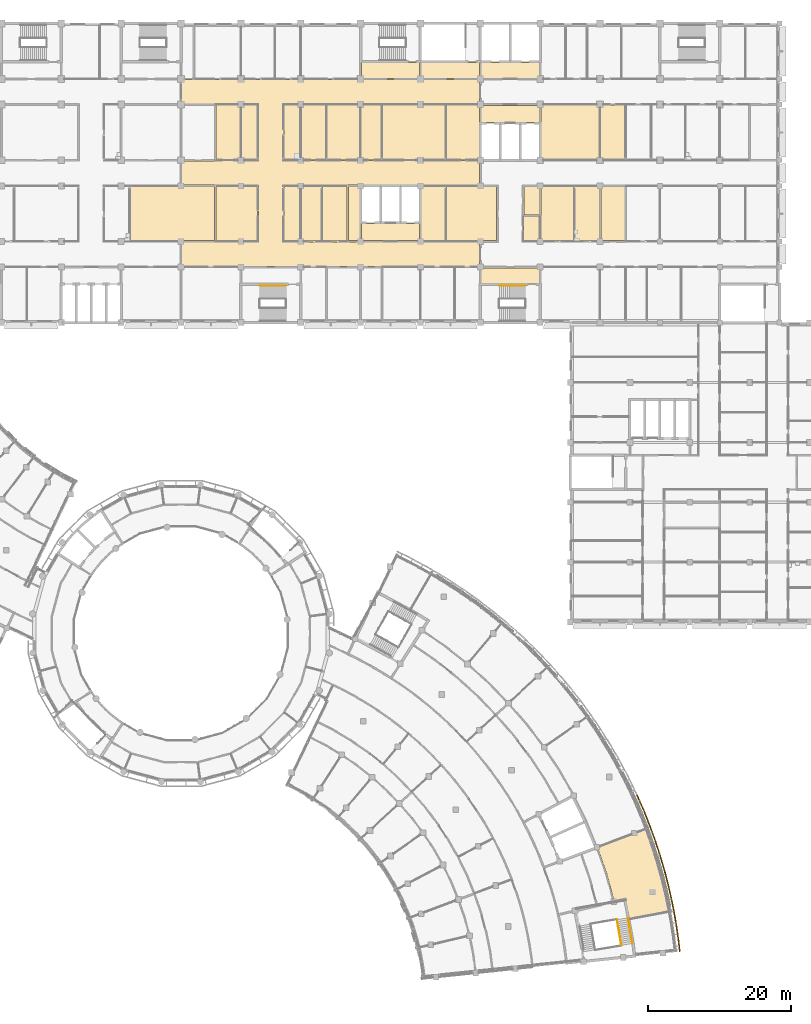
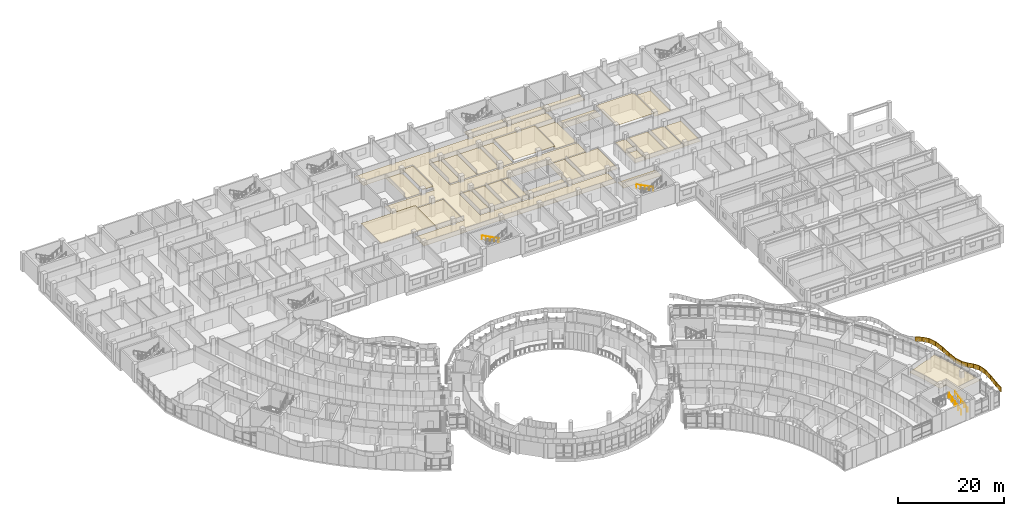
# One storey, part 104 of 109: 45 coverings, 4 railings.
"""IFC4 building model written with IfcOpenShell, lengths in metres."""

from ifc_helpers import new_model, si_unit, direction, frame, origin, origin_2d, place, context, subcontext, project, spatial, polyline, circle, outline, extrude, material, layer, layer_set, type_object, element, save


model = new_model("IFC4")

# Units and contexts
model_context = context("Model", 3, precision=1e-05, world=origin(), true_north=direction((0.0, 1.0)))
body_context = subcontext(model_context, "Body", "Model", "MODEL_VIEW")
ifc_project = project(units=[si_unit("LENGTHUNIT", "METRE"), si_unit("AREAUNIT", "SQUARE_METRE"), si_unit("VOLUMEUNIT", "CUBIC_METRE"), si_unit("PLANEANGLEUNIT", "RADIAN"), si_unit("MASSUNIT", "GRAM", prefix="KILO")], contexts=[model_context])

# Site, building, storey
site_placement = place(None, origin())
site = spatial("IfcSite", under=ifc_project, at=site_placement, CompositionType="ELEMENT")
building_placement = place(site_placement, origin())
building = spatial("IfcBuilding", under=site, at=building_placement, Name="Bougainvillea Quay General Hospital", CompositionType="ELEMENT")
storey_placement = place(building_placement, frame((0.0, 0.0, 12.60009765625)))
storey = spatial("IfcBuildingStorey", under=building, at=storey_placement, Name="L02", CompositionType="ELEMENT", Elevation=12.60009765625)

# Coverings
ifc_material_1 = material(Name="Powder-coated aluminium fascia, blue", Category="aluminium")
ifc_layer_1 = layer(ifc_material_1, 0.14990234375)
ifc_layer_set_1 = layer_set([ifc_layer_1], Name="Powder-coated aluminium fascia, blue")
covering_type_1 = type_object("IfcCoveringType", Name="Aluminium wave fascia ribbon blue 150x1000", PredefinedType="CLADDING", material=ifc_layer_set_1)
covering_1_placement = place(storey_placement, frame((179.114990234375, 29.351806640625, 2.959228515625), z_axis=(0.029135905684, -0.249876556171, 0.967839245782), x_axis=(-0.112359164721, 0.961295078717, 0.25156945311)))
element("IfcCovering", 1, at=covering_1_placement, inside=storey, type_object=covering_type_1, Name="Fascia ribbon blue a23 1", PredefinedType="CLADDING", context=body_context, shape_type="SweptSolid", body=[
    extrude(outline(polyline([(0.0, 0.0), (1.6817948894033983, 2.6315619605296603e-17), (1.6837251529886146, -0.1501578947317302), (-7.010251242881016e-05, -0.14993115207021507), (0.0, 0.0)])), origin(), (0.25156945311, -6.7718387e-05, 0.967839245782), 1.0),
])
covering_2_placement = place(storey_placement, frame((178.926025390625, 30.968505859375, 3.3828125), z_axis=(0.048699548796, -0.34457762142, 0.937493795587), x_axis=(-0.130342046885, 0.928388742432, 0.348001858816)))
element("IfcCovering", 2, at=covering_2_placement, inside=storey, type_object=covering_type_1, Name="Fascia ribbon blue a23 2", PredefinedType="CLADDING", context=body_context, shape_type="SweptSolid", body=[
    extrude(outline(polyline([(0.0, 0.0), (1.7401437211794646, 2.3201926491189795e-17), (1.7420769570936643, -0.14991087741207806), (-0.0016752787269053496, -0.15016088233025954), (0.0, 0.0)])), origin(), (0.348001858816, 0.000299160377, 0.937493795587), 1.0),
])
covering_3_placement = place(storey_placement, frame((178.69921875, 32.583984375, 3.989013671875), z_axis=(0.042168013185, -0.256822271256, 0.965538284923), x_axis=(-0.156483701276, 0.952773336649, 0.260261061641)))
element("IfcCovering", 3, at=covering_3_placement, inside=storey, type_object=covering_type_1, Name="Fascia ribbon blue a23 3", PredefinedType="CLADDING", context=body_context, shape_type="SweptSolid", body=[
    extrude(outline(polyline([(0.0, 0.0), (1.689645850185075, -1.1079190950086248e-16), (1.691316225315986, -0.14994650140858112), (-0.0016841329319670251, -0.14991394723947685), (0.0, 0.0)])), origin(), (0.260261061641, -1.1940954e-05, 0.965538284923), 1.0),
])
covering_4_placement = place(storey_placement, frame((178.434814453125, 34.19384765625, 4.428955078125), z_axis=(0.002429558049, -0.012929101862, 0.999913464042), x_axis=(-0.184832802362, 0.982681927558, 0.013155395176)))
element("IfcCovering", 4, at=covering_4_placement, inside=storey, type_object=covering_type_1, Name="Fascia ribbon blue a23 4", PredefinedType="CLADDING", context=body_context, shape_type="SweptSolid", body=[
    extrude(outline(polyline([(0.0, 0.0), (1.6312782524505063, 2.860769076056674e-17), (1.6330971815056787, -0.15014042691591833), (-0.0018700100361583247, -0.1499433571925871), (0.0, 0.0)])), origin(), (0.013155395176, -2.239343e-06, 0.999913464042), 1.0),
])
covering_5_placement = place(storey_placement, frame((178.13330078125, 35.796875, 4.4501953125), z_axis=(-0.050686541175, 0.23798915036, 0.969944348329), x_axis=(-0.201347514794, 0.948815707764, -0.243326798743)))
element("IfcCovering", 5, at=covering_5_placement, inside=storey, type_object=covering_type_1, Name="Fascia ribbon blue a23 5", PredefinedType="CLADDING", context=body_context, shape_type="SweptSolid", body=[
    extrude(outline(polyline([(0.0, 0.0), (1.681773482338444, -1.4894227344519617e-17), (1.6837191885844889, -0.14989646984294047), (-0.001731568451915492, -0.15014224988347843), (0.0, 0.0)])), origin(), (-0.243326798743, -0.000173662466, 0.969944348329), 1.0),
])
covering_6_placement = place(storey_placement, frame((177.794677734375, 37.392578125, 4.04052734375), z_axis=(-0.080802065726, 0.338168410837, 0.937610341286), x_axis=(-0.215930389463, 0.912407646848, -0.347687147994)))
element("IfcCovering", 6, at=covering_6_placement, inside=storey, type_object=covering_type_1, Name="Fascia ribbon blue a23 6", PredefinedType="CLADDING", context=body_context, shape_type="SweptSolid", body=[
    extrude(outline(polyline([(0.0, 0.0), (1.7400567747957214, 4.765068548073792e-17), (1.7417221223348651, -0.1501555085977009), (-0.0017603350604453855, -0.14989976054194776), (0.0, 0.0)])), origin(), (-0.347687147994, -0.000703585993, 0.937610341286), 1.0),
])
covering_7_placement = place(storey_placement, frame((177.4189453125, 38.980224609375, 3.43505859375), z_axis=(-0.067475293505, 0.259018062166, 0.963512702687), x_axis=(-0.243581547082, 0.932214993693, -0.267662540256)))
element("IfcCovering", 7, at=covering_7_placement, inside=storey, type_object=covering_type_1, Name="Fascia ribbon blue a23 7", PredefinedType="CLADDING", context=body_context, shape_type="SweptSolid", body=[
    extrude(outline(polyline([(0.0, 0.0), (1.692878082754893, -5.919743861770854e-17), (1.6946139950203492, -0.15007132647137303), (-0.0019496312553067678, -0.15015208726169865), (0.0, 0.0)])), origin(), (-0.267662540256, 0.000190539995, 0.963512702687), 1.0),
])
covering_8_placement = place(storey_placement, frame((177.006591796875, 40.558349609375, 2.981689453125), z_axis=(-0.007711221598, 0.023986006372, 0.999682553894), x_axis=(-0.274989639638, 0.961117355825, -0.025181866955)))
element("IfcCovering", 8, at=covering_8_placement, inside=storey, type_object=covering_type_1, Name="Fascia ribbon blue a23 8", PredefinedType="CLADDING", context=body_context, shape_type="SweptSolid", body=[
    extrude(outline(polyline([(0.0, 0.0), (1.6318064953916425, 3.61039323437673e-17), (1.6336284549907523, -0.14983636546657272), (-0.0018049381173692773, -0.15006989706257526), (0.0, 0.0)])), origin(), (-0.025181866955, -0.000815485664, 0.999682553894), 1.0),
])
covering_9_placement = place(storey_placement, frame((176.557861328125, 42.126708984375, 2.94091796875), z_axis=(0.070087761229, -0.224434033224, 0.971965570613), x_axis=(-0.289059720126, 0.927987918096, 0.235123163614)))
element("IfcCovering", 9, at=covering_9_placement, inside=storey, type_object=covering_type_1, Name="Fascia ribbon blue a23 9", PredefinedType="CLADDING", context=body_context, shape_type="SweptSolid", body=[
    extrude(outline(polyline([(0.0, 0.0), (1.6782118227117404, -4.7921736023859296e-17), (1.680159350595535, -0.14992228563691484), (-0.001736203168038441, -0.14983818795251114), (0.0, 0.0)])), origin(), (0.235123163614, 0.000165756796, 0.971965570613), 1.0),
])
covering_10_placement = place(storey_placement, frame((176.07275390625, 43.68408203125, 3.336181640625), z_axis=(0.111709772779, -0.328479118699, 0.937881866359), x_axis=(-0.299656399392, 0.888723329845, 0.346953722121)))
element("IfcCovering", 10, at=covering_10_placement, inside=storey, type_object=covering_type_1, Name="Fascia ribbon blue a23 10", PredefinedType="CLADDING", context=body_context, shape_type="SweptSolid", body=[
    extrude(outline(polyline([(0.0, 0.0), (1.7394609712793179, 7.177418381854039e-17), (1.7412441821571276, -0.15001436222954037), (-0.0017536049171491767, -0.14992568394076328), (0.0, 0.0)])), origin(), (0.346953722121, 0.000848211256, 0.937881866359), 1.0),
])
covering_11_placement = place(storey_placement, frame((175.551513671875, 45.22998046875, 3.940185546875), z_axis=(0.093834056673, -0.258043655852, 0.961565723954), x_axis=(-0.328273292003, 0.903794941802, 0.274574851236)))
element("IfcCovering", 11, at=covering_11_placement, inside=storey, type_object=covering_type_1, Name="Fascia ribbon blue a23 11", PredefinedType="CLADDING", context=body_context, shape_type="SweptSolid", body=[
    extrude(outline(polyline([(0.0, 0.0), (1.6964141674149098, -1.275157280114514e-16), (1.6983466647712833, -0.1500333690972985), (-0.001825509247674923, -0.15001385075053494), (0.0, 0.0)])), origin(), (0.274574851236, 9.7905403e-05, 0.961565723954), 1.0),
])
covering_12_placement = place(storey_placement, frame((174.99462890625, 46.76318359375, 4.40625), z_axis=(0.013473999763, -0.034513936753, 0.999313384029), x_axis=(-0.362817989412, 0.931123164044, 0.037050775151)))
element("IfcCovering", 12, at=covering_12_placement, inside=storey, type_object=covering_type_1, Name="Fascia ribbon blue a23 12", PredefinedType="CLADDING", context=body_context, shape_type="SweptSolid", body=[
    extrude(outline(polyline([(0.0, 0.0), (1.6324604135474499, -9.287885673232854e-17), (1.6342553534315367, -0.15005135460449706), (-0.0016031780552774808, -0.15003644440103334), (0.0, 0.0)])), origin(), (0.037050775151, 2.3676152e-05, 0.999313384029), 1.0),
])
covering_13_placement = place(storey_placement, frame((174.40234375, 48.283203125, 4.466552734375), z_axis=(-0.087156374801, 0.209138446932, 0.973994289689), x_axis=(-0.374613187673, 0.899071652405, -0.226572556729)))
element("IfcCovering", 13, at=covering_13_placement, inside=storey, type_object=covering_type_1, Name="Fascia ribbon blue a23 13", PredefinedType="CLADDING", context=body_context, shape_type="SweptSolid", body=[
    extrude(outline(polyline([(0.0, 0.0), (1.674883690798885, 4.825377293918298e-17), (1.676658863067682, -0.1501464831059357), (-0.0017568803792866604, -0.15005258543382138), (0.0, 0.0)])), origin(), (-0.226572556729, -1.380564e-05, 0.973994289689), 1.0),
])
covering_14_placement = place(storey_placement, frame((173.77490234375, 49.7890625, 4.086669921875), z_axis=(-0.139695558392, 0.316545174963, 0.938234673828), x_axis=(-0.380844822084, 0.857462604964, -0.345998703149)))
element("IfcCovering", 14, at=covering_14_placement, inside=storey, type_object=covering_type_1, Name="Fascia ribbon blue a23 14", PredefinedType="CLADDING", context=body_context, shape_type="SweptSolid", body=[
    extrude(outline(polyline([(0.0, 0.0), (1.738539704091523, -9.107298248878237e-18), (1.740408885594288, -0.1500953383114039), (-0.0018324972845334823, -0.15014581827840112), (0.0, 0.0)])), origin(), (-0.345998703149, 0.00077087344, 0.938234673828), 1.0),
])

# Railings
ifc_material_2 = material(Name="Stainless steel 304 balustrade", Category="steel")
railing_type_1 = type_object("IfcRailingType", Name="Stair guard 1100", PredefinedType="GUARDRAIL", material=ifc_material_2)
railing_1_placement = place(storey_placement, frame((170.99755859375, 30.240966796875, 0.14990234375)))
element("IfcRailing", 15, at=railing_1_placement, inside=storey, type_object=railing_type_1, Name="L02 ST-E2 stair guard 1", PredefinedType="GUARDRAIL", context=body_context, shape_type="SweptSolid", body=[
    extrude(circle(Radius=0.02392578125, at=origin_2d()), frame((0.0, 0.0, 1.076171875), z_axis=(-0.147866971265, 0.868991900698, 0.472216513191), x_axis=(-0.985829902908, -0.167748032873, 0.0)), (0.0, 0.0, 1.0), 4.12939453125),
    extrude(circle(Radius=0.02099609375, at=origin_2d()), origin(), (0.0, 0.0, 1.0), 1.052001953125),
    extrude(circle(Radius=0.02099609375, at=origin_2d()), frame((-0.152587890625, 0.89697265625, 0.487548828125)), (0.0, 0.0, 1.0), 1.052001953125),
    extrude(circle(Radius=0.02099609375, at=origin_2d()), frame((-0.30517578125, 1.794189453125, 0.97509765625)), (0.0, 0.0, 1.0), 1.052001953125),
    extrude(circle(Radius=0.02099609375, at=origin_2d()), frame((-0.4580078125, 2.69140625, 1.46240234375)), (0.0, 0.0, 1.0), 1.052001953125),
    extrude(circle(Radius=0.02099609375, at=origin_2d()), frame((-0.610595703125, 3.58837890625, 1.949951171875)), (0.0, 0.0, 1.0), 1.052001953125),
])
ifc_material_3 = material(Name="Stainless steel 304 handrail", Category="steel")
railing_type_2 = type_object("IfcRailingType", Name="Stair handrail 900", PredefinedType="HANDRAIL", material=ifc_material_3)
for number, where, name in (
    (16, (123.89990234375, 122.77490234375, 0.14990234375), "L02 ST-B3 stair handrail 1"),
    (17, (157.5, 122.77490234375, 0.14990234375), "L02 ST-B4 stair handrail 1"),
):
    element("IfcRailing", number, at=place(storey_placement, frame(where)), inside=storey, type_object=railing_type_2, Name=name, PredefinedType="HANDRAIL", context=body_context, shape_type="SweptSolid", body=[
        extrude(circle(Radius=0.02392578125, at=origin_2d()), frame((0.0, 0.0, 0.8759765625), z_axis=(-0.881479091078, 0.0, 0.472223053219), x_axis=(0.0, -1.0, 0.0)), (0.0, 0.0, 1.0), 4.12939453125),
        extrude(circle(Radius=0.02099609375, at=origin_2d()), origin(), (0.0, 0.0, 1.0), 0.851806640625),
        extrude(circle(Radius=0.02099609375, at=origin_2d()), frame((-0.909912109375, 0.0, 0.487548828125)), (0.0, 0.0, 1.0), 0.851806640625),
        extrude(circle(Radius=0.02099609375, at=origin_2d()), frame((-1.81982421875, 0.0, 0.97509765625)), (0.0, 0.0, 1.0), 0.851806640625),
        extrude(circle(Radius=0.02099609375, at=origin_2d()), frame((-2.72998046875, 0.0, 1.46240234375)), (0.0, 0.0, 1.0), 0.851806640625),
        extrude(circle(Radius=0.02099609375, at=origin_2d()), frame((-3.639892578125, 0.0, 1.949951171875)), (0.0, 0.0, 1.0), 0.851806640625),
    ])
railing_2_placement = place(storey_placement, frame((172.525634765625, 30.5009765625, 0.14990234375)))
element("IfcRailing", 18, at=railing_2_placement, inside=storey, type_object=railing_type_2, Name="L02 ST-E2 stair handrail 1", PredefinedType="HANDRAIL", context=body_context, shape_type="SweptSolid", body=[
    extrude(circle(Radius=0.02392578125, at=origin_2d()), frame((0.0, 0.0, 0.8759765625), z_axis=(-0.147866971265, 0.868991900698, 0.472216513191), x_axis=(-0.985829902908, -0.167748032873, 0.0)), (0.0, 0.0, 1.0), 4.12939453125),
    extrude(circle(Radius=0.02099609375, at=origin_2d()), origin(), (0.0, 0.0, 1.0), 0.851806640625),
    extrude(circle(Radius=0.02099609375, at=origin_2d()), frame((-0.152587890625, 0.89697265625, 0.487548828125)), (0.0, 0.0, 1.0), 0.851806640625),
    extrude(circle(Radius=0.02099609375, at=origin_2d()), frame((-0.30517578125, 1.794189453125, 0.97509765625)), (0.0, 0.0, 1.0), 0.851806640625),
    extrude(circle(Radius=0.02099609375, at=origin_2d()), frame((-0.4580078125, 2.69140625, 1.46240234375)), (0.0, 0.0, 1.0), 0.851806640625),
    extrude(circle(Radius=0.02099609375, at=origin_2d()), frame((-0.610595703125, 3.58837890625, 1.949951171875)), (0.0, 0.0, 1.0), 0.851806640625),
])

# Coverings
ifc_material_4 = material(Name="Mineral fibre ceiling tile")
ifc_layer_2 = layer(ifc_material_4, 0.030029296875)
ifc_layer_set_2 = layer_set([ifc_layer_2], Name="Mineral fibre ceiling tile")
covering_type_2 = type_object("IfcCoveringType", Name="Suspended ceiling mineral fibre tile", PredefinedType="CEILING", material=ifc_layer_set_2)
covering_15_placement = place(storey_placement, frame((0.0, 0.0, 2.699951171875)))
element("IfcCovering", 19, at=covering_15_placement, inside=storey, type_object=covering_type_2, Name="Ceiling Corridor V4-4", PredefinedType="CEILING", context=body_context, shape_type="SweptSolid", body=[
    extrude(outline(polyline([(111.097900390625, 151.75), (111.097900390625, 151.699951171875), (109.300048828125, 151.699951171875), (109.300048828125, 148.300048828125), (114.10009765625, 148.300048828125), (114.10009765625, 148.25), (120.050048828125, 148.25), (120.050048828125, 140.35009765625), (114.10009765625, 140.35009765625), (114.10009765625, 140.300048828125), (109.300048828125, 140.300048828125), (109.300048828125, 136.89990234375), (114.10009765625, 136.89990234375), (114.10009765625, 136.85009765625), (120.050048828125, 136.85009765625), (120.050048828125, 128.949951171875), (114.10009765625, 128.949951171875), (114.10009765625, 128.89990234375), (109.300048828125, 128.89990234375), (109.300048828125, 125.449951171875), (117.5, 125.449951171875), (117.5, 125.5), (126.10009765625, 125.5), (126.10009765625, 125.449951171875), (129.5, 125.449951171875), (129.5, 125.5), (137.5, 125.5), (137.5, 125.449951171875), (151.10009765625, 125.449951171875), (151.10009765625, 128.949951171875), (142.89990234375, 128.949951171875), (142.89990234375, 128.89990234375), (132.5, 128.89990234375), (132.5, 128.949951171875), (123.550048828125, 128.949951171875), (123.550048828125, 136.85009765625), (132.5, 136.85009765625), (132.5, 136.89990234375), (134.5, 136.89990234375), (134.5, 136.85009765625), (151.10009765625, 136.85009765625), (151.10009765625, 140.35009765625), (123.550048828125, 140.35009765625), (123.550048828125, 148.25), (151.10009765625, 148.25), (151.10009765625, 151.699951171875), (134.300048828125, 151.699951171875), (134.300048828125, 151.75), (111.097900390625, 151.75)])), origin(), (0.0, 0.0, 1.0), 0.030029296875),
])
covering_16_placement = place(storey_placement, frame((0.0, 0.0, 2.699951171875)))
element("IfcCovering", 20, at=covering_16_placement, inside=storey, type_object=covering_type_2, Name="Ceiling Fire Lift Lobby LB-A2", PredefinedType="CEILING", context=body_context, shape_type="SweptSolid", body=[
    extrude(outline(polyline([(159.5, 148.10009765625), (151.300048828125, 148.10009765625), (151.300048828125, 145.699951171875), (159.5, 145.699951171875), (159.5, 148.10009765625)])), origin(), (0.0, 0.0, 1.0), 0.030029296875),
])
covering_17_placement = place(storey_placement, frame((0.0, 0.0, 2.699951171875)))
element("IfcCovering", 21, at=covering_17_placement, inside=storey, type_object=covering_type_2, Name="Ceiling Fire Lift Lobby LB-B2", PredefinedType="CEILING", context=body_context, shape_type="SweptSolid", body=[
    extrude(outline(polyline([(134.5, 131.5), (134.5, 129.10009765625), (142.699951171875, 129.10009765625), (142.699951171875, 131.5), (134.5, 131.5)])), origin(), (0.0, 0.0, 1.0), 0.030029296875),
])
covering_18_placement = place(storey_placement, frame((0.0, 0.0, 2.699951171875)))
element("IfcCovering", 22, at=covering_18_placement, inside=storey, type_object=covering_type_2, Name="Ceiling Lift Lobby LB-S1", PredefinedType="CEILING", context=body_context, shape_type="SweptSolid", body=[
    extrude(outline(polyline([(151.300048828125, 151.89990234375), (159.5, 151.89990234375), (159.5, 154.10009765625), (151.300048828125, 154.10009765625), (151.300048828125, 151.89990234375)])), origin(), (0.0, 0.0, 1.0), 0.030029296875),
])
covering_19_placement = place(storey_placement, frame((0.0, 0.0, 2.699951171875)))
element("IfcCovering", 23, at=covering_19_placement, inside=storey, type_object=covering_type_2, Name="Ceiling Smoke-proof Stair Vestibule ST-A3", PredefinedType="CEILING", context=body_context, shape_type="SweptSolid", body=[
    extrude(outline(polyline([(134.5, 151.89990234375), (142.699951171875, 151.89990234375), (142.699951171875, 154.10009765625), (134.5, 154.10009765625), (134.5, 151.89990234375)])), origin(), (0.0, 0.0, 1.0), 0.030029296875),
])
covering_20_placement = place(storey_placement, frame((0.0, 0.0, 2.699951171875)))
element("IfcCovering", 24, at=covering_20_placement, inside=storey, type_object=covering_type_2, Name="Ceiling Smoke-proof Stair Vestibule ST-B4", PredefinedType="CEILING", context=body_context, shape_type="SweptSolid", body=[
    extrude(outline(polyline([(159.5, 123.10009765625), (159.5, 125.300048828125), (151.300048828125, 125.300048828125), (151.300048828125, 123.10009765625), (159.5, 123.10009765625)])), origin(), (0.0, 0.0, 1.0), 0.030029296875),
])
covering_21_placement = place(storey_placement, frame((0.0, 0.0, 2.699951171875)))
element("IfcCovering", 25, at=covering_21_placement, inside=storey, type_object=covering_type_2, Name="Ceiling Smoke-proof Stair Vestibule ST-D3", PredefinedType="CEILING", context=body_context, shape_type="SweptSolid", body=[
    extrude(outline(polyline([(142.89990234375, 151.89990234375), (151.10009765625, 151.89990234375), (151.10009765625, 154.10009765625), (142.89990234375, 154.10009765625), (142.89990234375, 151.89990234375)])), origin(), (0.0, 0.0, 1.0), 0.030029296875),
])
covering_22_placement = place(storey_placement, frame((0.0, 0.0, 3.5498046875)))
element("IfcCovering", 26, at=covering_22_placement, inside=storey, type_object=covering_type_2, Name="Ceiling Lecture Theatre", PredefinedType="CEILING", context=body_context, shape_type="SweptSolid", body=[
    extrude(outline(polyline([(109.10009765625, 129.050048828125), (109.10009765625, 129.10009765625), (113.89990234375, 129.10009765625), (113.89990234375, 136.699951171875), (109.10009765625, 136.699951171875), (109.10009765625, 136.75), (102.050048828125, 136.75), (102.050048828125, 129.050048828125), (109.10009765625, 129.050048828125)])), origin(), (0.0, 0.0, 1.0), 0.030029296875),
])
covering_23_placement = place(storey_placement, frame((0.0, 0.0, 2.7998046875)))
element("IfcCovering", 27, at=covering_23_placement, inside=storey, type_object=covering_type_2, Name="Ceiling Seminar Room 03", PredefinedType="CEILING", context=body_context, shape_type="SweptSolid", body=[
    extrude(outline(polyline([(114.10009765625, 129.050048828125), (119.949951171875, 129.050048828125), (119.949951171875, 136.75), (114.10009765625, 136.75), (114.10009765625, 129.050048828125)])), origin(), (0.0, 0.0, 1.0), 0.030029296875),
])
covering_24_placement = place(storey_placement, frame((0.0, 0.0, 2.7998046875)))
element("IfcCovering", 28, at=covering_24_placement, inside=storey, type_object=covering_type_2, Name="Ceiling Skills Laboratory", PredefinedType="CEILING", context=body_context, shape_type="SweptSolid", body=[
    extrude(outline(polyline([(125.949951171875, 129.050048828125), (125.949951171875, 136.75), (123.64990234375, 136.75), (123.64990234375, 129.050048828125), (125.949951171875, 129.050048828125)])), origin(), (0.0, 0.0, 1.0), 0.030029296875),
])
covering_25_placement = place(storey_placement, frame((0.0, 0.0, 2.7998046875)))
element("IfcCovering", 29, at=covering_25_placement, inside=storey, type_object=covering_type_2, Name="Ceiling Research WC", PredefinedType="CEILING", context=body_context, shape_type="SweptSolid", body=[
    extrude(outline(polyline([(128.949951171875, 129.050048828125), (128.949951171875, 136.75), (126.050048828125, 136.75), (126.050048828125, 129.050048828125), (128.949951171875, 129.050048828125)])), origin(), (0.0, 0.0, 1.0), 0.030029296875),
])
covering_26_placement = place(storey_placement, frame((0.0, 0.0, 2.7998046875)))
element("IfcCovering", 30, at=covering_26_placement, inside=storey, type_object=covering_type_2, Name="Ceiling Clinical Trial Consulting Room 03", PredefinedType="CEILING", context=body_context, shape_type="SweptSolid", body=[
    extrude(outline(polyline([(132.5, 129.050048828125), (132.5, 136.75), (129.050048828125, 136.75), (129.050048828125, 129.050048828125), (132.5, 129.050048828125)])), origin(), (0.0, 0.0, 1.0), 0.030029296875),
])
covering_27_placement = place(storey_placement, frame((0.0, 0.0, 2.7998046875)))
element("IfcCovering", 31, at=covering_27_placement, inside=storey, type_object=covering_type_2, Name="Ceiling Research Specimen Processing Laboratory", PredefinedType="CEILING", context=body_context, shape_type="SweptSolid", body=[
    extrude(outline(polyline([(132.699951171875, 129.10009765625), (134.300048828125, 129.10009765625), (134.300048828125, 136.699951171875), (132.699951171875, 136.699951171875), (132.699951171875, 129.10009765625)])), origin(), (0.0, 0.0, 1.0), 0.030029296875),
])
covering_28_placement = place(storey_placement, frame((0.0, 0.0, 2.7998046875)))
element("IfcCovering", 32, at=covering_28_placement, inside=storey, type_object=covering_type_2, Name="Ceiling Clinical Trial Ward Bay Room 02", PredefinedType="CEILING", context=body_context, shape_type="SweptSolid", body=[
    extrude(outline(polyline([(146.35009765625, 129.050048828125), (146.35009765625, 136.75), (142.85009765625, 136.75), (142.85009765625, 131.699951171875), (142.89990234375, 131.699951171875), (142.89990234375, 129.050048828125), (146.35009765625, 129.050048828125)])), origin(), (0.0, 0.0, 1.0), 0.030029296875),
])
covering_29_placement = place(storey_placement, frame((0.0, 0.0, 2.7998046875)))
element("IfcCovering", 33, at=covering_29_placement, inside=storey, type_object=covering_type_2, Name="Ceiling Research Data Office", PredefinedType="CEILING", context=body_context, shape_type="SweptSolid", body=[
    extrude(outline(polyline([(153.5, 136.699951171875), (151.10009765625, 136.699951171875), (151.10009765625, 136.75), (146.449951171875, 136.75), (146.449951171875, 129.050048828125), (151.10009765625, 129.050048828125), (151.10009765625, 129.10009765625), (153.5, 129.10009765625), (153.5, 136.699951171875)])), origin(), (0.0, 0.0, 1.0), 0.030029296875),
])
covering_30_placement = place(storey_placement, frame((0.0, 0.0, 2.7998046875)))
element("IfcCovering", 34, at=covering_30_placement, inside=storey, type_object=covering_type_2, Name="Ceiling Clinical Trial Consulting Room 04", PredefinedType="CEILING", context=body_context, shape_type="SweptSolid", body=[
    extrude(outline(polyline([(157.25, 132.5), (157.25, 129.050048828125), (159.550048828125, 129.050048828125), (159.550048828125, 132.5), (157.25, 132.5)])), origin(), (0.0, 0.0, 1.0), 0.030029296875),
])
covering_31_placement = place(storey_placement, frame((0.0, 0.0, 2.7998046875)))
element("IfcCovering", 35, at=covering_31_placement, inside=storey, type_object=covering_type_2, Name="Ceiling Research Pharmacy", PredefinedType="CEILING", context=body_context, shape_type="SweptSolid", body=[
    extrude(outline(polyline([(157.300048828125, 132.699951171875), (159.5, 132.699951171875), (159.5, 136.699951171875), (157.300048828125, 136.699951171875), (157.300048828125, 132.699951171875)])), origin(), (0.0, 0.0, 1.0), 0.030029296875),
])
covering_32_placement = place(storey_placement, frame((0.0, 0.0, 2.7998046875)))
element("IfcCovering", 36, at=covering_32_placement, inside=storey, type_object=covering_type_2, Name="Ceiling Day Surgery Discharge Room", PredefinedType="CEILING", context=body_context, shape_type="SweptSolid", body=[
    extrude(outline(polyline([(159.699951171875, 132.5), (159.64990234375, 132.5), (159.64990234375, 129.050048828125), (164.35009765625, 129.050048828125), (164.35009765625, 136.75), (159.699951171875, 136.75), (159.699951171875, 132.5)])), origin(), (0.0, 0.0, 1.0), 0.030029296875),
])
covering_33_placement = place(storey_placement, frame((0.0, 0.0, 2.7998046875)))
element("IfcCovering", 37, at=covering_33_placement, inside=storey, type_object=covering_type_2, Name="Ceiling Annexe Accessible WC", PredefinedType="CEILING", context=body_context, shape_type="SweptSolid", body=[
    extrude(outline(polyline([(164.449951171875, 129.050048828125), (167.89990234375, 129.050048828125), (167.89990234375, 136.75), (164.449951171875, 136.75), (164.449951171875, 129.050048828125)])), origin(), (0.0, 0.0, 1.0), 0.030029296875),
])
covering_34_placement = place(storey_placement, frame((0.0, 0.0, 2.7998046875)))
element("IfcCovering", 38, at=covering_34_placement, inside=storey, type_object=covering_type_2, Name="Ceiling Annexe Store", PredefinedType="CEILING", context=body_context, shape_type="SweptSolid", body=[
    extrude(outline(polyline([(168.10009765625, 129.10009765625), (171.5, 129.10009765625), (171.5, 136.699951171875), (168.10009765625, 136.699951171875), (168.10009765625, 129.10009765625)])), origin(), (0.0, 0.0, 1.0), 0.030029296875),
])
covering_35_placement = place(storey_placement, frame((0.0, 0.0, 2.7998046875)))
element("IfcCovering", 39, at=covering_35_placement, inside=storey, type_object=covering_type_2, Name="Ceiling IT Operations Centre", PredefinedType="CEILING", context=body_context, shape_type="SweptSolid", body=[
    extrude(outline(polyline([(117.550048828125, 148.14990234375), (114.10009765625, 148.14990234375), (114.10009765625, 140.449951171875), (117.550048828125, 140.449951171875), (117.550048828125, 148.14990234375)])), origin(), (0.0, 0.0, 1.0), 0.030029296875),
])
covering_36_placement = place(storey_placement, frame((0.0, 0.0, 3.5498046875)))
element("IfcCovering", 40, at=covering_36_placement, inside=storey, type_object=covering_type_2, Name="Ceiling Staff Lounge", PredefinedType="CEILING", context=body_context, shape_type="SweptSolid", body=[
    extrude(outline(polyline([(117.64990234375, 140.449951171875), (119.949951171875, 140.449951171875), (119.949951171875, 148.14990234375), (117.64990234375, 148.14990234375), (117.64990234375, 140.449951171875)])), origin(), (0.0, 0.0, 1.0), 0.030029296875),
])
covering_37_placement = place(storey_placement, frame((0.0, 0.0, 2.7998046875)))
element("IfcCovering", 41, at=covering_37_placement, inside=storey, type_object=covering_type_2, Name="Ceiling Staff Shower Room 01", PredefinedType="CEILING", context=body_context, shape_type="SweptSolid", body=[
    extrude(outline(polyline([(123.64990234375, 140.449951171875), (125.949951171875, 140.449951171875), (125.949951171875, 148.14990234375), (123.64990234375, 148.14990234375), (123.64990234375, 140.449951171875)])), origin(), (0.0, 0.0, 1.0), 0.030029296875),
])
covering_38_placement = place(storey_placement, frame((0.0, 0.0, 2.7998046875)))
element("IfcCovering", 42, at=covering_38_placement, inside=storey, type_object=covering_type_2, Name="Ceiling On-call Rest Room 01", PredefinedType="CEILING", context=body_context, shape_type="SweptSolid", body=[
    extrude(outline(polyline([(129.550048828125, 148.14990234375), (126.050048828125, 148.14990234375), (126.050048828125, 140.449951171875), (129.550048828125, 140.449951171875), (129.550048828125, 148.14990234375)])), origin(), (0.0, 0.0, 1.0), 0.030029296875),
])
covering_39_placement = place(storey_placement, frame((0.0, 0.0, 2.7998046875)))
element("IfcCovering", 43, at=covering_39_placement, inside=storey, type_object=covering_type_2, Name="Ceiling Staff Locker Room", PredefinedType="CEILING", context=body_context, shape_type="SweptSolid", body=[
    extrude(outline(polyline([(129.64990234375, 140.449951171875), (134.35009765625, 140.449951171875), (134.35009765625, 148.14990234375), (129.64990234375, 148.14990234375), (129.64990234375, 140.449951171875)])), origin(), (0.0, 0.0, 1.0), 0.030029296875),
])
covering_40_placement = place(storey_placement, frame((0.0, 0.0, 2.7998046875)))
element("IfcCovering", 44, at=covering_40_placement, inside=storey, type_object=covering_type_2, Name="Ceiling Staff Rest Accessible WC", PredefinedType="CEILING", context=body_context, shape_type="SweptSolid", body=[
    extrude(outline(polyline([(137.35009765625, 148.14990234375), (134.449951171875, 148.14990234375), (134.449951171875, 140.449951171875), (137.35009765625, 140.449951171875), (137.35009765625, 148.14990234375)])), origin(), (0.0, 0.0, 1.0), 0.030029296875),
])
covering_41_placement = place(storey_placement, frame((0.0, 0.0, 3.5498046875)))
element("IfcCovering", 45, at=covering_41_placement, inside=storey, type_object=covering_type_2, Name="Ceiling Staff Lounge", PredefinedType="CEILING", context=body_context, shape_type="SweptSolid", body=[
    extrude(outline(polyline([(146.35009765625, 148.14990234375), (137.449951171875, 148.14990234375), (137.449951171875, 140.449951171875), (146.35009765625, 140.449951171875), (146.35009765625, 148.14990234375)])), origin(), (0.0, 0.0, 1.0), 0.030029296875),
])
covering_42_placement = place(storey_placement, frame((0.0, 0.0, 2.7998046875)))
element("IfcCovering", 46, at=covering_42_placement, inside=storey, type_object=covering_type_2, Name="Ceiling Doctors' Changing Room (Women)", PredefinedType="CEILING", context=body_context, shape_type="SweptSolid", body=[
    extrude(outline(polyline([(151.14990234375, 145.5), (151.10009765625, 145.5), (151.10009765625, 148.14990234375), (146.449951171875, 148.14990234375), (146.449951171875, 140.449951171875), (151.14990234375, 140.449951171875), (151.14990234375, 145.5)])), origin(), (0.0, 0.0, 1.0), 0.030029296875),
])
covering_43_placement = place(storey_placement, frame((0.0, 0.0, 3.5498046875)))
element("IfcCovering", 47, at=covering_43_placement, inside=storey, type_object=covering_type_2, Name="Ceiling Multi-faith Chapel", PredefinedType="CEILING", context=body_context, shape_type="SweptSolid", body=[
    extrude(outline(polyline([(159.64990234375, 145.5), (159.64990234375, 140.449951171875), (167.949951171875, 140.449951171875), (167.949951171875, 148.14990234375), (159.699951171875, 148.14990234375), (159.699951171875, 145.5), (159.64990234375, 145.5)])), origin(), (0.0, 0.0, 1.0), 0.030029296875),
])
covering_44_placement = place(storey_placement, frame((0.0, 0.0, 2.7998046875)))
element("IfcCovering", 48, at=covering_44_placement, inside=storey, type_object=covering_type_2, Name="Ceiling Quiet Reflection Room 01", PredefinedType="CEILING", context=body_context, shape_type="SweptSolid", body=[
    extrude(outline(polyline([(171.550048828125, 148.14990234375), (168.050048828125, 148.14990234375), (168.050048828125, 140.449951171875), (171.550048828125, 140.449951171875), (171.550048828125, 148.14990234375)])), origin(), (0.0, 0.0, 1.0), 0.030029296875),
])
covering_45_placement = place(storey_placement, frame((0.0, 0.0, 2.699951171875)))
element("IfcCovering", 49, at=covering_45_placement, inside=storey, type_object=covering_type_2, Name="Ceiling Rehabilitation Gym 02E111", PredefinedType="CEILING", context=body_context, shape_type="SweptSolid", body=[
    extrude(outline(polyline([(168.97265625, 40.167236328125), (169.98193359375, 36.4375), (171.41943359375, 36.779052734375), (171.51708984375, 36.800537109375), (171.95654296875, 34.803955078125), (171.9580078125, 34.804443359375), (171.9775390625, 34.7080078125), (171.97607421875, 34.70751953125), (172.119140625, 33.94189453125), (177.914794921875, 35.036865234375), (177.76708984375, 35.8310546875), (177.29833984375, 37.9794921875), (176.76171875, 40.111083984375), (176.1591796875, 42.2255859375), (175.48974609375, 44.320068359375), (174.676025390625, 46.59423828125), (167.656005859375, 43.950927734375), (167.673828125, 43.90625), (167.67041015625, 43.90283203125), (168.9296875, 40.3056640625), (168.934814453125, 40.306884765625), (168.95361328125, 40.2373046875), (168.9775390625, 40.1689453125), (168.97265625, 40.167236328125)])), origin(), (0.0, 0.0, 1.0), 0.030029296875),
])

save(model, "model.ifc")
